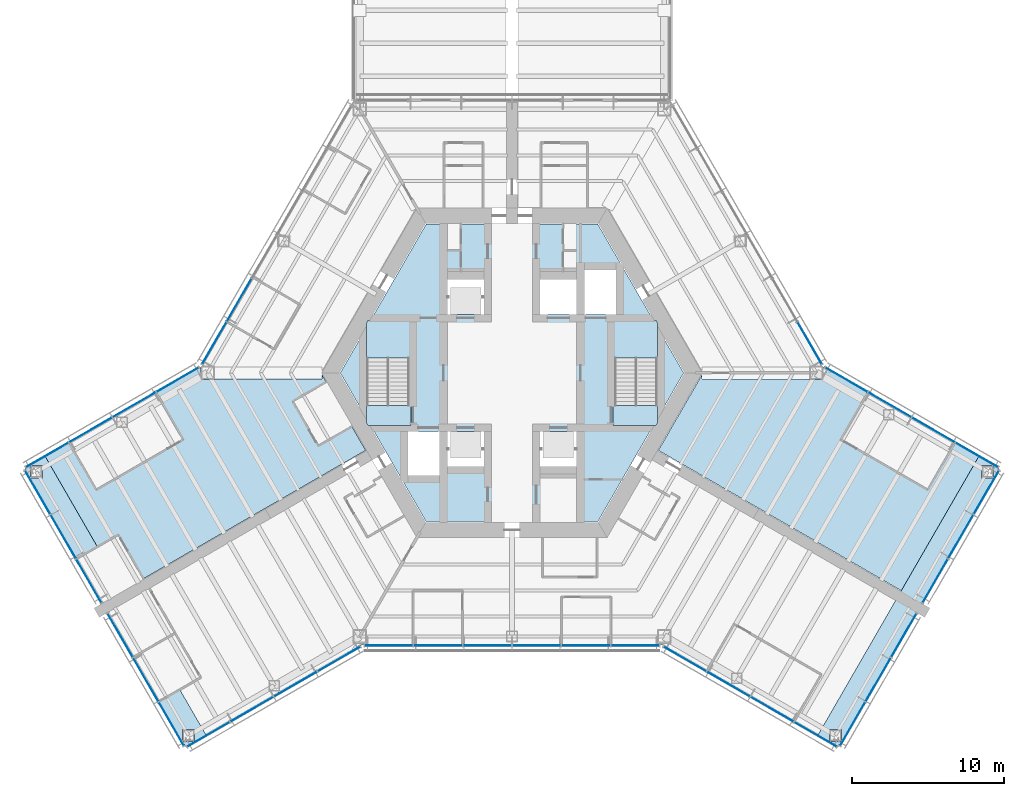
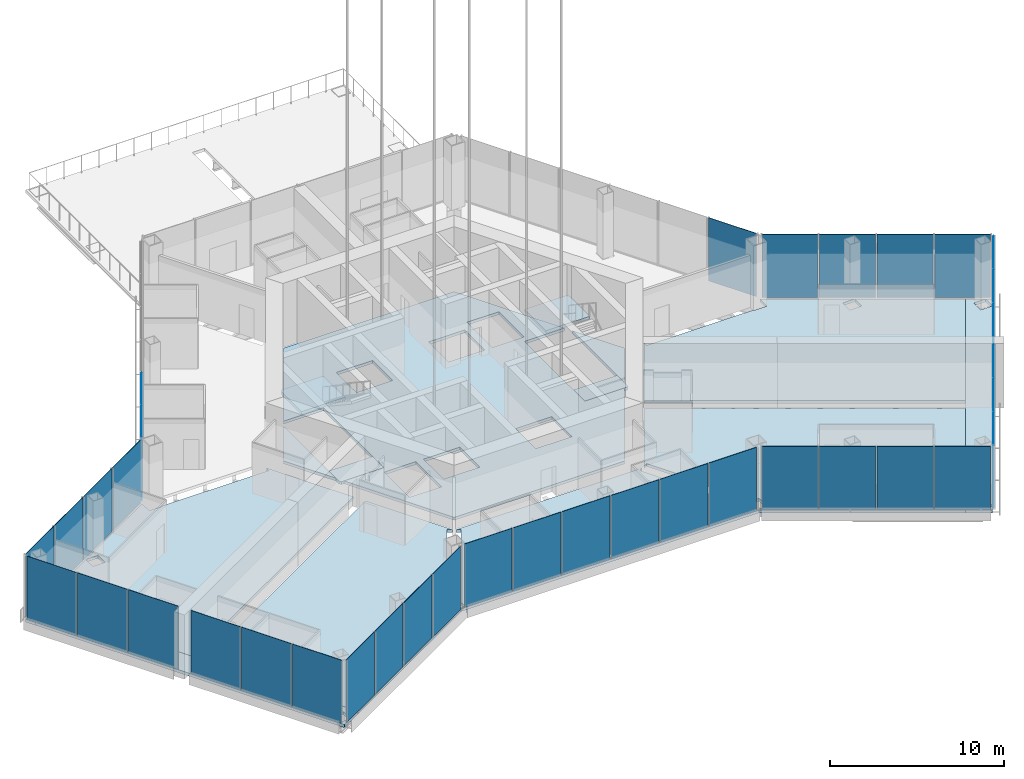
# One storey, part 8 of 18: 37 plates, 12 slabs, 13 elements without a shape of their own.
"""IFC4 building model written with IfcOpenShell, lengths in metres."""

from ifc_helpers import new_model, si_unit, direction, frame, origin, origin_2d, place, context, subcontext, project, spatial, polyline, rectangle, outline, extrude, material, layer, layer_set, type_object, element, aggregate, save


model = new_model("IFC4")

# Units and contexts
model_context = context("Model", 3, precision=1e-05, world=origin(), true_north=direction((0.0, 1.0)))
body_context = subcontext(model_context, "Body", "Model", "MODEL_VIEW")
ifc_project = project(units=[si_unit("LENGTHUNIT", "METRE"), si_unit("AREAUNIT", "SQUARE_METRE"), si_unit("VOLUMEUNIT", "CUBIC_METRE"), si_unit("PLANEANGLEUNIT", "RADIAN"), si_unit("MASSUNIT", "GRAM", prefix="KILO")], contexts=[model_context])

# Site, building, storey
site_placement = place(None, origin())
site = spatial("IfcSite", under=ifc_project, at=site_placement, CompositionType="ELEMENT")
building_placement = place(site_placement, origin())
building = spatial("IfcBuilding", under=site, at=building_placement, Name="Kasaneha Research Tower", CompositionType="ELEMENT")
storey_placement = place(building_placement, frame((0.0, 0.0, 128.60009765625)))
storey = spatial("IfcBuildingStorey", under=building, at=storey_placement, Name="L32", CompositionType="ELEMENT", Elevation=128.60009765625)

# Curtain wall, plates
ifc_material_1 = material(Name="Glass and aluminium", Category="aluminium")
curtain_wall_type = type_object("IfcCurtainWallType", Name="Sky lobby curtain wall", PredefinedType="USERDEFINED", material=ifc_material_1)
curtain_wall_1_placement = place(storey_placement, origin())
curtain_wall_1 = element("IfcCurtainWall", 1, at=curtain_wall_1_placement, inside=storey, type_object=curtain_wall_type, Name="CW-S L32 run 01a", ObjectType="UNITISED CURTAIN WALL", PredefinedType="USERDEFINED")
ifc_material_2 = material(Name="Laminated double glazing", Category="glass")
ifc_layer_1 = layer(ifc_material_2, 0.030029296875)
ifc_layer_set_1 = layer_set([ifc_layer_1], Name="CW-S glazed panel")
plate_type = type_object("IfcPlateType", Name="CW-S glazed panel", PredefinedType="CURTAIN_PANEL", material=ifc_layer_set_1)
plate_1_placement = place(storey_placement, frame((-8.0986328125, -17.92041015625, 0.06982421875), z_axis=(0.0, 0.0, 1.0), x_axis=(1.0, 0.0, 0.0)))
plate_1 = element("IfcPlate", 2, at=plate_1_placement, type_object=plate_type, Name="CW-S panel 1", PredefinedType="CURTAIN_PANEL", context=body_context, shape_type="SweptSolid", body=[
    extrude(rectangle(XDim=3.141357421875, YDim=0.030029296875, at=origin_2d()), origin(), (0.0, 0.0, 1.0), 4.429931640625),
])
plate_2_placement = place(storey_placement, frame((-4.86962890625, -17.92041015625, 0.06982421875), z_axis=(0.0, 0.0, 1.0), x_axis=(1.0, 0.0, 0.0)))
plate_2 = element("IfcPlate", 3, at=plate_2_placement, type_object=plate_type, Name="CW-S panel 2", PredefinedType="CURTAIN_PANEL", context=body_context, shape_type="SweptSolid", body=[
    extrude(rectangle(XDim=3.176513671875, YDim=0.030029296875, at=origin_2d()), origin(), (0.0, 0.0, 1.0), 4.429931640625),
])
plate_3_placement = place(storey_placement, frame((-1.623291015625, -17.92041015625, 0.06982421875), z_axis=(0.0, 0.0, 1.0), x_axis=(1.0, 0.0, 0.0)))
plate_3 = element("IfcPlate", 4, at=plate_3_placement, type_object=plate_type, Name="CW-S panel 3", PredefinedType="CURTAIN_PANEL", context=body_context, shape_type="SweptSolid", body=[
    extrude(rectangle(XDim=3.176513671875, YDim=0.030029296875, at=origin_2d()), origin(), (0.0, 0.0, 1.0), 4.429931640625),
])
plate_4_placement = place(storey_placement, frame((1.623291015625, -17.92041015625, 0.06982421875), z_axis=(0.0, 0.0, 1.0), x_axis=(1.0, 0.0, 0.0)))
plate_4 = element("IfcPlate", 5, at=plate_4_placement, type_object=plate_type, Name="CW-S panel 4", PredefinedType="CURTAIN_PANEL", context=body_context, shape_type="SweptSolid", body=[
    extrude(rectangle(XDim=3.176513671875, YDim=0.030029296875, at=origin_2d()), origin(), (0.0, 0.0, 1.0), 4.429931640625),
])
plate_5_placement = place(storey_placement, frame((4.86962890625, -17.92041015625, 0.06982421875), z_axis=(0.0, 0.0, 1.0), x_axis=(1.0, 0.0, 0.0)))
plate_5 = element("IfcPlate", 6, at=plate_5_placement, type_object=plate_type, Name="CW-S panel 5", PredefinedType="CURTAIN_PANEL", context=body_context, shape_type="SweptSolid", body=[
    extrude(rectangle(XDim=3.176513671875, YDim=0.030029296875, at=origin_2d()), origin(), (0.0, 0.0, 1.0), 4.429931640625),
])
plate_6_placement = place(storey_placement, frame((8.0986328125, -17.92041015625, 0.06982421875), z_axis=(0.0, 0.0, 1.0), x_axis=(1.0, 0.0, 0.0)))
plate_6 = element("IfcPlate", 7, at=plate_6_placement, type_object=plate_type, Name="CW-S panel 6", PredefinedType="CURTAIN_PANEL", context=body_context, shape_type="SweptSolid", body=[
    extrude(rectangle(XDim=3.141357421875, YDim=0.030029296875, at=origin_2d()), origin(), (0.0, 0.0, 1.0), 4.429931640625),
])
aggregate(curtain_wall_1, [plate_1, plate_2, plate_3, plate_4, plate_5, plate_6])

curtain_wall_2_placement = place(storey_placement, origin())
curtain_wall_2 = element("IfcCurtainWall", 8, at=curtain_wall_2_placement, inside=storey, type_object=curtain_wall_type, Name="CW-S L32 run 02a", ObjectType="UNITISED CURTAIN WALL", PredefinedType="USERDEFINED")
plate_7_placement = place(storey_placement, frame((11.374267578125, -18.806640625, 0.06982421875), z_axis=(0.0, 0.0, 1.0), x_axis=(0.866025411464, -0.499999986699, 0.0)))
plate_7 = element("IfcPlate", 9, at=plate_7_placement, type_object=plate_type, Name="CW-S panel 1", PredefinedType="CURTAIN_PANEL", context=body_context, shape_type="SweptSolid", body=[
    extrude(rectangle(XDim=3.204833984375, YDim=0.030029296875, at=origin_2d()), origin(), (0.0, 0.0, 1.0), 4.429931640625),
])
plate_8_placement = place(storey_placement, frame((14.225341796875, -20.452880859375, 0.06982421875), z_axis=(0.0, 0.0, 1.0), x_axis=(0.866025411464, -0.499999986699, 0.0)))
plate_8 = element("IfcPlate", 10, at=plate_8_placement, type_object=plate_type, Name="CW-S panel 2", PredefinedType="CURTAIN_PANEL", context=body_context, shape_type="SweptSolid", body=[
    extrude(rectangle(XDim=3.23974609375, YDim=0.030029296875, at=origin_2d()), origin(), (0.0, 0.0, 1.0), 4.429931640625),
])
plate_9_placement = place(storey_placement, frame((17.091796875, -22.107666015625, 0.06982421875), z_axis=(0.0, 0.0, 1.0), x_axis=(0.866025411464, -0.499999986699, 0.0)))
plate_9 = element("IfcPlate", 11, at=plate_9_placement, type_object=plate_type, Name="CW-S panel 3", PredefinedType="CURTAIN_PANEL", context=body_context, shape_type="SweptSolid", body=[
    extrude(rectangle(XDim=3.23974609375, YDim=0.030029296875, at=origin_2d()), origin(), (0.0, 0.0, 1.0), 4.429931640625),
])
plate_10_placement = place(storey_placement, frame((19.943115234375, -23.75390625, 0.06982421875), z_axis=(0.0, 0.0, 1.0), x_axis=(0.866025411464, -0.499999986699, 0.0)))
plate_10 = element("IfcPlate", 12, at=plate_10_placement, type_object=plate_type, Name="CW-S panel 4", PredefinedType="CURTAIN_PANEL", context=body_context, shape_type="SweptSolid", body=[
    extrude(rectangle(XDim=3.204833984375, YDim=0.030029296875, at=origin_2d()), origin(), (0.0, 0.0, 1.0), 4.429931640625),
])
aggregate(curtain_wall_2, [plate_7, plate_8, plate_9, plate_10])

curtain_wall_3_placement = place(storey_placement, origin())
curtain_wall_3 = element("IfcCurtainWall", 13, at=curtain_wall_3_placement, inside=storey, type_object=curtain_wall_type, Name="CW-S L32 run 03a", ObjectType="UNITISED CURTAIN WALL", PredefinedType="USERDEFINED")
plate_11_placement = place(storey_placement, frame((22.382568359375, -23.0732421875, 0.06982421875), z_axis=(0.0, 0.0, 1.0), x_axis=(0.500000011442, 0.866025397178, 0.0)))
plate_11 = element("IfcPlate", 14, at=plate_11_placement, type_object=plate_type, Name="CW-S panel 1", PredefinedType="CURTAIN_PANEL", context=body_context, shape_type="SweptSolid", body=[
    extrude(rectangle(XDim=3.2783203125, YDim=0.030029296875, at=origin_2d()), origin(), (0.0, 0.0, 1.0), 4.429931640625),
])
plate_12_placement = place(storey_placement, frame((24.0654296875, -20.158447265625, 0.06982421875), z_axis=(0.0, 0.0, 1.0), x_axis=(0.500000011442, 0.866025397178, 0.0)))
plate_12 = element("IfcPlate", 15, at=plate_12_placement, type_object=plate_type, Name="CW-S panel 2", PredefinedType="CURTAIN_PANEL", context=body_context, shape_type="SweptSolid", body=[
    extrude(rectangle(XDim=3.313232421875, YDim=0.030029296875, at=origin_2d()), origin(), (0.0, 0.0, 1.0), 4.429931640625),
])
plate_13_placement = place(storey_placement, frame((25.748291015625, -17.24365234375, 0.06982421875), z_axis=(0.0, 0.0, 1.0), x_axis=(0.500000011442, 0.866025397178, 0.0)))
plate_13 = element("IfcPlate", 16, at=plate_13_placement, type_object=plate_type, Name="CW-S panel 3", PredefinedType="CURTAIN_PANEL", context=body_context, shape_type="SweptSolid", body=[
    extrude(rectangle(XDim=3.2783203125, YDim=0.030029296875, at=origin_2d()), origin(), (0.0, 0.0, 1.0), 4.429931640625),
])
aggregate(curtain_wall_3, [plate_11, plate_12, plate_13])

curtain_wall_4_placement = place(storey_placement, origin())
curtain_wall_4 = element("IfcCurtainWall", 17, at=curtain_wall_4_placement, inside=storey, type_object=curtain_wall_type, Name="CW-S L32 run 04a", ObjectType="UNITISED CURTAIN WALL", PredefinedType="USERDEFINED")
plate_14_placement = place(storey_placement, frame((27.8076171875, -13.677001953125, 0.06982421875), z_axis=(0.0, 0.0, 1.0), x_axis=(0.500000011442, 0.866025397178, 0.0)))
plate_14 = element("IfcPlate", 18, at=plate_14_placement, type_object=plate_type, Name="CW-S panel 1", PredefinedType="CURTAIN_PANEL", context=body_context, shape_type="SweptSolid", body=[
    extrude(rectangle(XDim=3.2783203125, YDim=0.030029296875, at=origin_2d()), origin(), (0.0, 0.0, 1.0), 4.429931640625),
])
plate_15_placement = place(storey_placement, frame((29.490478515625, -10.761962890625, 0.06982421875), z_axis=(0.0, 0.0, 1.0), x_axis=(0.500000011442, 0.866025397178, 0.0)))
plate_15 = element("IfcPlate", 19, at=plate_15_placement, type_object=plate_type, Name="CW-S panel 2", PredefinedType="CURTAIN_PANEL", context=body_context, shape_type="SweptSolid", body=[
    extrude(rectangle(XDim=3.313232421875, YDim=0.030029296875, at=origin_2d()), origin(), (0.0, 0.0, 1.0), 4.429931640625),
])
plate_16_placement = place(storey_placement, frame((31.17333984375, -7.84716796875, 0.06982421875), z_axis=(0.0, 0.0, 1.0), x_axis=(0.500000011442, 0.866025397178, 0.0)))
plate_16 = element("IfcPlate", 20, at=plate_16_placement, type_object=plate_type, Name="CW-S panel 3", PredefinedType="CURTAIN_PANEL", context=body_context, shape_type="SweptSolid", body=[
    extrude(rectangle(XDim=3.2783203125, YDim=0.030029296875, at=origin_2d()), origin(), (0.0, 0.0, 1.0), 4.429931640625),
])
aggregate(curtain_wall_4, [plate_14, plate_15, plate_16])

curtain_wall_5_placement = place(storey_placement, origin())
curtain_wall_5 = element("IfcCurtainWall", 21, at=curtain_wall_5_placement, inside=storey, type_object=curtain_wall_type, Name="CW-S L32 run 05a", ObjectType="UNITISED CURTAIN WALL", PredefinedType="USERDEFINED")
plate_17_placement = place(storey_placement, frame((30.54296875, -5.394287109375, 0.06982421875), z_axis=(0.0, 0.0, 1.0), x_axis=(-0.866025411464, 0.499999986699, 0.0)))
plate_17 = element("IfcPlate", 22, at=plate_17_placement, type_object=plate_type, Name="CW-S panel 1", PredefinedType="CURTAIN_PANEL", context=body_context, shape_type="SweptSolid", body=[
    extrude(rectangle(XDim=3.204833984375, YDim=0.030029296875, at=origin_2d()), origin(), (0.0, 0.0, 1.0), 4.429931640625),
])
plate_18_placement = place(storey_placement, frame((27.69189453125, -3.748046875, 0.06982421875), z_axis=(0.0, 0.0, 1.0), x_axis=(-0.866025411464, 0.499999986699, 0.0)))
plate_18 = element("IfcPlate", 23, at=plate_18_placement, type_object=plate_type, Name="CW-S panel 2", PredefinedType="CURTAIN_PANEL", context=body_context, shape_type="SweptSolid", body=[
    extrude(rectangle(XDim=3.23974609375, YDim=0.030029296875, at=origin_2d()), origin(), (0.0, 0.0, 1.0), 4.429931640625),
])
plate_19_placement = place(storey_placement, frame((24.825439453125, -2.093017578125, 0.06982421875), z_axis=(0.0, 0.0, 1.0), x_axis=(-0.866025411464, 0.499999986699, 0.0)))
plate_19 = element("IfcPlate", 24, at=plate_19_placement, type_object=plate_type, Name="CW-S panel 3", PredefinedType="CURTAIN_PANEL", context=body_context, shape_type="SweptSolid", body=[
    extrude(rectangle(XDim=3.23974609375, YDim=0.030029296875, at=origin_2d()), origin(), (0.0, 0.0, 1.0), 4.429931640625),
])
plate_20_placement = place(storey_placement, frame((21.97412109375, -0.447021484375, 0.06982421875), z_axis=(0.0, 0.0, 1.0), x_axis=(-0.866025411464, 0.499999986699, 0.0)))
plate_20 = element("IfcPlate", 25, at=plate_20_placement, type_object=plate_type, Name="CW-S panel 4", PredefinedType="CURTAIN_PANEL", context=body_context, shape_type="SweptSolid", body=[
    extrude(rectangle(XDim=3.204833984375, YDim=0.030029296875, at=origin_2d()), origin(), (0.0, 0.0, 1.0), 4.429931640625),
])
aggregate(curtain_wall_5, [plate_17, plate_18, plate_19, plate_20])

# Curtain wall, plate
curtain_wall_6_placement = place(storey_placement, origin())
curtain_wall_6 = element("IfcCurtainWall", 26, at=curtain_wall_6_placement, inside=storey, type_object=curtain_wall_type, Name="CW-S L32 run 06a", ObjectType="UNITISED CURTAIN WALL", PredefinedType="USERDEFINED")
plate_21_placement = place(storey_placement, frame((19.56103515625, 1.96044921875, 0.06982421875), z_axis=(0.0, 0.0, 1.0), x_axis=(-0.499999979232, 0.866025415775, 0.0)))
plate_21 = element("IfcPlate", 27, at=plate_21_placement, type_object=plate_type, Name="CW-S panel 1", PredefinedType="CURTAIN_PANEL", context=body_context, shape_type="SweptSolid", body=[
    extrude(rectangle(XDim=3.173095703125, YDim=0.030029296875, at=origin_2d()), origin(), (0.0, 0.0, 1.0), 4.429931640625),
])
aggregate(curtain_wall_6, [plate_21])

# Curtain wall, plates
curtain_wall_7_placement = place(storey_placement, origin())
curtain_wall_7 = element("IfcCurtainWall", 28, at=curtain_wall_7_placement, inside=storey, type_object=curtain_wall_type, Name="CW-S L32 run 08a", ObjectType="UNITISED CURTAIN WALL", PredefinedType="USERDEFINED")
plate_22_placement = place(storey_placement, frame((-17.9306640625, 4.7841796875, 0.06982421875), z_axis=(0.0, 0.0, 1.0), x_axis=(-0.499999979232, -0.866025415775, 0.0)))
plate_22 = element("IfcPlate", 29, at=plate_22_placement, type_object=plate_type, Name="CW-S panel 5", PredefinedType="CURTAIN_PANEL", context=body_context, shape_type="SweptSolid", body=[
    extrude(rectangle(XDim=3.2080078125, YDim=0.030029296875, at=origin_2d()), origin(), (0.0, 0.0, 1.0), 4.429931640625),
])
plate_23_placement = place(storey_placement, frame((-19.56103515625, 1.96044921875, 0.06982421875), z_axis=(0.0, 0.0, 1.0), x_axis=(-0.499999979232, -0.866025415775, 0.0)))
plate_23 = element("IfcPlate", 30, at=plate_23_placement, type_object=plate_type, Name="CW-S panel 6", PredefinedType="CURTAIN_PANEL", context=body_context, shape_type="SweptSolid", body=[
    extrude(rectangle(XDim=3.173095703125, YDim=0.030029296875, at=origin_2d()), origin(), (0.0, 0.0, 1.0), 4.429931640625),
])
aggregate(curtain_wall_7, [plate_22, plate_23])

curtain_wall_8_placement = place(storey_placement, origin())
curtain_wall_8 = element("IfcCurtainWall", 31, at=curtain_wall_8_placement, inside=storey, type_object=curtain_wall_type, Name="CW-S L32 run 09a", ObjectType="UNITISED CURTAIN WALL", PredefinedType="USERDEFINED")
plate_24_placement = place(storey_placement, frame((-21.97412109375, -0.447021484375, 0.06982421875), z_axis=(0.0, 0.0, 1.0), x_axis=(-0.866025411464, -0.499999986699, 0.0)))
plate_24 = element("IfcPlate", 32, at=plate_24_placement, type_object=plate_type, Name="CW-S panel 1", PredefinedType="CURTAIN_PANEL", context=body_context, shape_type="SweptSolid", body=[
    extrude(rectangle(XDim=3.204833984375, YDim=0.030029296875, at=origin_2d()), origin(), (0.0, 0.0, 1.0), 4.429931640625),
])
plate_25_placement = place(storey_placement, frame((-24.825439453125, -2.093017578125, 0.06982421875), z_axis=(0.0, 0.0, 1.0), x_axis=(-0.866025411464, -0.499999986699, 0.0)))
plate_25 = element("IfcPlate", 33, at=plate_25_placement, type_object=plate_type, Name="CW-S panel 2", PredefinedType="CURTAIN_PANEL", context=body_context, shape_type="SweptSolid", body=[
    extrude(rectangle(XDim=3.23974609375, YDim=0.030029296875, at=origin_2d()), origin(), (0.0, 0.0, 1.0), 4.429931640625),
])
plate_26_placement = place(storey_placement, frame((-27.69189453125, -3.748046875, 0.06982421875), z_axis=(0.0, 0.0, 1.0), x_axis=(-0.866025411464, -0.499999986699, 0.0)))
plate_26 = element("IfcPlate", 34, at=plate_26_placement, type_object=plate_type, Name="CW-S panel 3", PredefinedType="CURTAIN_PANEL", context=body_context, shape_type="SweptSolid", body=[
    extrude(rectangle(XDim=3.23974609375, YDim=0.030029296875, at=origin_2d()), origin(), (0.0, 0.0, 1.0), 4.429931640625),
])
plate_27_placement = place(storey_placement, frame((-30.54296875, -5.394287109375, 0.06982421875), z_axis=(0.0, 0.0, 1.0), x_axis=(-0.866025411464, -0.499999986699, 0.0)))
plate_27 = element("IfcPlate", 35, at=plate_27_placement, type_object=plate_type, Name="CW-S panel 4", PredefinedType="CURTAIN_PANEL", context=body_context, shape_type="SweptSolid", body=[
    extrude(rectangle(XDim=3.204833984375, YDim=0.030029296875, at=origin_2d()), origin(), (0.0, 0.0, 1.0), 4.429931640625),
])
aggregate(curtain_wall_8, [plate_24, plate_25, plate_26, plate_27])

curtain_wall_9_placement = place(storey_placement, origin())
curtain_wall_9 = element("IfcCurtainWall", 36, at=curtain_wall_9_placement, inside=storey, type_object=curtain_wall_type, Name="CW-S L32 run 10a", ObjectType="UNITISED CURTAIN WALL", PredefinedType="USERDEFINED")
plate_28_placement = place(storey_placement, frame((-31.17333984375, -7.84716796875, 0.06982421875), z_axis=(0.0, 0.0, 1.0), x_axis=(0.500000011442, -0.866025397178, 0.0)))
plate_28 = element("IfcPlate", 37, at=plate_28_placement, type_object=plate_type, Name="CW-S panel 1", PredefinedType="CURTAIN_PANEL", context=body_context, shape_type="SweptSolid", body=[
    extrude(rectangle(XDim=3.2783203125, YDim=0.030029296875, at=origin_2d()), origin(), (0.0, 0.0, 1.0), 4.429931640625),
])
plate_29_placement = place(storey_placement, frame((-29.490478515625, -10.761962890625, 0.06982421875), z_axis=(0.0, 0.0, 1.0), x_axis=(0.500000011442, -0.866025397178, 0.0)))
plate_29 = element("IfcPlate", 38, at=plate_29_placement, type_object=plate_type, Name="CW-S panel 2", PredefinedType="CURTAIN_PANEL", context=body_context, shape_type="SweptSolid", body=[
    extrude(rectangle(XDim=3.313232421875, YDim=0.030029296875, at=origin_2d()), origin(), (0.0, 0.0, 1.0), 4.429931640625),
])
plate_30_placement = place(storey_placement, frame((-27.8076171875, -13.677001953125, 0.06982421875), z_axis=(0.0, 0.0, 1.0), x_axis=(0.500000011442, -0.866025397178, 0.0)))
plate_30 = element("IfcPlate", 39, at=plate_30_placement, type_object=plate_type, Name="CW-S panel 3", PredefinedType="CURTAIN_PANEL", context=body_context, shape_type="SweptSolid", body=[
    extrude(rectangle(XDim=3.2783203125, YDim=0.030029296875, at=origin_2d()), origin(), (0.0, 0.0, 1.0), 4.429931640625),
])
aggregate(curtain_wall_9, [plate_28, plate_29, plate_30])

curtain_wall_10_placement = place(storey_placement, origin())
curtain_wall_10 = element("IfcCurtainWall", 40, at=curtain_wall_10_placement, inside=storey, type_object=curtain_wall_type, Name="CW-S L32 run 11a", ObjectType="UNITISED CURTAIN WALL", PredefinedType="USERDEFINED")
plate_31_placement = place(storey_placement, frame((-25.748291015625, -17.24365234375, 0.06982421875), z_axis=(0.0, 0.0, 1.0), x_axis=(0.500000011442, -0.866025397178, 0.0)))
plate_31 = element("IfcPlate", 41, at=plate_31_placement, type_object=plate_type, Name="CW-S panel 1", PredefinedType="CURTAIN_PANEL", context=body_context, shape_type="SweptSolid", body=[
    extrude(rectangle(XDim=3.2783203125, YDim=0.030029296875, at=origin_2d()), origin(), (0.0, 0.0, 1.0), 4.429931640625),
])
plate_32_placement = place(storey_placement, frame((-24.0654296875, -20.158447265625, 0.06982421875), z_axis=(0.0, 0.0, 1.0), x_axis=(0.500000011442, -0.866025397178, 0.0)))
plate_32 = element("IfcPlate", 42, at=plate_32_placement, type_object=plate_type, Name="CW-S panel 2", PredefinedType="CURTAIN_PANEL", context=body_context, shape_type="SweptSolid", body=[
    extrude(rectangle(XDim=3.313232421875, YDim=0.030029296875, at=origin_2d()), origin(), (0.0, 0.0, 1.0), 4.429931640625),
])
plate_33_placement = place(storey_placement, frame((-22.382568359375, -23.0732421875, 0.06982421875), z_axis=(0.0, 0.0, 1.0), x_axis=(0.500000011442, -0.866025397178, 0.0)))
plate_33 = element("IfcPlate", 43, at=plate_33_placement, type_object=plate_type, Name="CW-S panel 3", PredefinedType="CURTAIN_PANEL", context=body_context, shape_type="SweptSolid", body=[
    extrude(rectangle(XDim=3.2783203125, YDim=0.030029296875, at=origin_2d()), origin(), (0.0, 0.0, 1.0), 4.429931640625),
])
aggregate(curtain_wall_10, [plate_31, plate_32, plate_33])

curtain_wall_11_placement = place(storey_placement, origin())
curtain_wall_11 = element("IfcCurtainWall", 44, at=curtain_wall_11_placement, inside=storey, type_object=curtain_wall_type, Name="CW-S L32 run 12a", ObjectType="UNITISED CURTAIN WALL", PredefinedType="USERDEFINED")
plate_34_placement = place(storey_placement, frame((-19.943115234375, -23.75390625, 0.06982421875), z_axis=(0.0, 0.0, 1.0), x_axis=(0.866025411464, 0.499999986699, 0.0)))
plate_34 = element("IfcPlate", 45, at=plate_34_placement, type_object=plate_type, Name="CW-S panel 1", PredefinedType="CURTAIN_PANEL", context=body_context, shape_type="SweptSolid", body=[
    extrude(rectangle(XDim=3.204833984375, YDim=0.030029296875, at=origin_2d()), origin(), (0.0, 0.0, 1.0), 4.429931640625),
])
plate_35_placement = place(storey_placement, frame((-17.091796875, -22.107666015625, 0.06982421875), z_axis=(0.0, 0.0, 1.0), x_axis=(0.866025411464, 0.499999986699, 0.0)))
plate_35 = element("IfcPlate", 46, at=plate_35_placement, type_object=plate_type, Name="CW-S panel 2", PredefinedType="CURTAIN_PANEL", context=body_context, shape_type="SweptSolid", body=[
    extrude(rectangle(XDim=3.23974609375, YDim=0.030029296875, at=origin_2d()), origin(), (0.0, 0.0, 1.0), 4.429931640625),
])
plate_36_placement = place(storey_placement, frame((-14.225341796875, -20.452880859375, 0.06982421875), z_axis=(0.0, 0.0, 1.0), x_axis=(0.866025411464, 0.499999986699, 0.0)))
plate_36 = element("IfcPlate", 47, at=plate_36_placement, type_object=plate_type, Name="CW-S panel 3", PredefinedType="CURTAIN_PANEL", context=body_context, shape_type="SweptSolid", body=[
    extrude(rectangle(XDim=3.23974609375, YDim=0.030029296875, at=origin_2d()), origin(), (0.0, 0.0, 1.0), 4.429931640625),
])
plate_37_placement = place(storey_placement, frame((-11.374267578125, -18.806640625, 0.06982421875), z_axis=(0.0, 0.0, 1.0), x_axis=(0.866025411464, 0.499999986699, 0.0)))
plate_37 = element("IfcPlate", 48, at=plate_37_placement, type_object=plate_type, Name="CW-S panel 4", PredefinedType="CURTAIN_PANEL", context=body_context, shape_type="SweptSolid", body=[
    extrude(rectangle(XDim=3.204833984375, YDim=0.030029296875, at=origin_2d()), origin(), (0.0, 0.0, 1.0), 4.429931640625),
])
aggregate(curtain_wall_11, [plate_34, plate_35, plate_36, plate_37])

# Slabs
ifc_material_3 = material(Name="Concrete Fc24", Category="concrete")
ifc_layer_2 = layer(ifc_material_3, 0.199951171875)
ifc_layer_set_2 = layer_set([ifc_layer_2], Name="Core floor slab 200")
slab_type_1 = type_object("IfcSlabType", Name="Core floor slab 200", PredefinedType="FLOOR", material=ifc_layer_set_2)
slab_1_placement = place(storey_placement, frame((0.0, 0.0, -0.2001953125)))
element("IfcSlab", 49, at=slab_1_placement, inside=storey, type_object=slab_type_1, Name="Core slab L32", PredefinedType="FLOOR", context=body_context, shape_type="SweptSolid", body=[
    extrude(outline(polyline([(-11.287109375, 0.0), (-9.550048828125, 3.0087890625), (-9.550048828125, -3.0087890625), (-11.287109375, 0.0)])), origin(), (0.0, 0.0, 1.0), 0.2001953125),
])
slab_2_placement = place(storey_placement, frame((0.0, 0.0, -0.2001953125)))
element("IfcSlab", 50, at=slab_2_placement, inside=storey, type_object=slab_type_1, Name="Core slab L32", PredefinedType="FLOOR", context=body_context, shape_type="SweptSolid", body=[
    extrude(outline(polyline([(-5.6435546875, 9.77490234375), (5.6435546875, 9.77490234375), (9.29541015625, 3.449951171875), (6.64990234375, 3.449951171875), (6.64990234375, -3.449951171875), (9.29541015625, -3.449951171875), (5.6435546875, -9.77490234375), (-5.6435546875, -9.77490234375), (-9.29541015625, -3.449951171875), (-6.64990234375, -3.449951171875), (-6.64990234375, 3.449951171875), (-9.29541015625, 3.449951171875), (-5.6435546875, 9.77490234375)]), holes=[polyline([(-6.85009765625, -3.85009765625), (-6.85009765625, -6.75), (-4.75, -6.75), (-4.75, -3.85009765625), (-6.85009765625, -3.85009765625)]), polyline([(-4.25, -3.85009765625), (-4.25, -6.14990234375), (-1.85009765625, -6.14990234375), (-1.85009765625, -3.85009765625), (-4.25, -3.85009765625)]), polyline([(1.85009765625, -3.85009765625), (1.85009765625, -6.14990234375), (4.25, -6.14990234375), (4.25, -3.85009765625), (1.85009765625, -3.85009765625)]), polyline([(-4.25, 6.14990234375), (-4.25, 3.85009765625), (-1.85009765625, 3.85009765625), (-1.85009765625, 6.14990234375), (-4.25, 6.14990234375)]), polyline([(4.25, 6.14990234375), (1.85009765625, 6.14990234375), (1.85009765625, 3.85009765625), (4.25, 3.85009765625), (4.25, 6.14990234375)]), polyline([(6.85009765625, 6.75), (4.75, 6.75), (4.75, 3.85009765625), (6.85009765625, 3.85009765625), (6.85009765625, 6.75)])]), origin(), (0.0, 0.0, 1.0), 0.2001953125),
])
slab_3_placement = place(storey_placement, frame((0.0, 0.0, -0.2001953125)))
element("IfcSlab", 51, at=slab_3_placement, inside=storey, type_object=slab_type_1, Name="Core slab L32", PredefinedType="FLOOR", context=body_context, shape_type="SweptSolid", body=[
    extrude(outline(polyline([(11.287109375, 0.0), (9.550048828125, -3.0087890625), (9.550048828125, 3.0087890625), (11.287109375, 0.0)])), origin(), (0.0, 0.0, 1.0), 0.2001953125),
])
ifc_material_4 = material(Name="Concrete Fc24", Category="concrete")
ifc_layer_3 = layer(ifc_material_4, 0.199951171875)
ifc_layer_set_3 = layer_set([ifc_layer_3], Name="Floor slab 200")
slab_type_2 = type_object("IfcSlabType", Name="Floor slab 200", PredefinedType="FLOOR", material=ifc_layer_set_3)
slab_4_placement = place(storey_placement, frame((0.0, 0.0, -0.2001953125)))
element("IfcSlab", 52, at=slab_4_placement, inside=storey, type_object=slab_type_2, Name="Floor slab L32 1", PredefinedType="FLOOR", context=body_context, shape_type="SweptSolid", body=[
    extrude(outline(polyline([(-25.1923828125, -15.006591796875), (-25.18359375, -15.001708984375), (-20.108642578125, -23.791748046875), (-21.459716796875, -24.57177734375), (-21.65576171875, -24.232177734375), (-21.644287109375, -24.220703125), (-20.858154296875, -24.220703125), (-20.858154296875, -23.42041015625), (-21.658447265625, -23.42041015625), (-21.658447265625, -24.20654296875), (-21.666015625, -24.214111328125), (-31.65576171875, -6.91162109375), (-31.644287109375, -6.900146484375), (-30.858154296875, -6.900146484375), (-30.858154296875, -6.099853515625), (-31.658447265625, -6.099853515625), (-31.658447265625, -6.885986328125), (-31.666015625, -6.8935546875), (-32.009521484375, -6.298583984375), (-30.65869140625, -5.518798828125), (-25.583740234375, -14.308837890625), (-25.59228515625, -14.313720703125), (-25.1923828125, -15.006591796875)])), origin(), (0.0, 0.0, 1.0), 0.2001953125),
])
slab_5_placement = place(storey_placement, frame((0.0, 0.0, -0.2001953125)))
element("IfcSlab", 53, at=slab_5_placement, inside=storey, type_object=slab_type_2, Name="Floor slab L32 2", PredefinedType="FLOOR", context=body_context, shape_type="SweptSolid", body=[
    extrude(outline(polyline([(-25.22900390625, -3.650146484375), (-25.22900390625, -2.849853515625), (-26.01513671875, -2.849853515625), (-26.02294921875, -2.84228515625), (-20.449951171875, 0.375244140625), (-20.449951171875, -0.449951171875), (-19.550048828125, -0.449951171875), (-19.550048828125, -0.39990234375), (-12.49951171875, -0.39990234375), (-12.49951171875, -0.10009765625), (-9.617919921875, -5.091064453125), (-25.583740234375, -14.308837890625), (-30.65869140625, -5.518798828125), (-26.040771484375, -2.8525390625), (-26.029296875, -2.864013671875), (-26.029296875, -3.650146484375), (-25.22900390625, -3.650146484375)])), origin(), (0.0, 0.0, 1.0), 0.2001953125),
])
slab_6_placement = place(storey_placement, frame((0.0, 0.0, -0.2001953125)))
element("IfcSlab", 54, at=slab_6_placement, inside=storey, type_object=slab_type_2, Name="Floor slab L32 5", PredefinedType="FLOOR", context=body_context, shape_type="SweptSolid", body=[
    extrude(outline(polyline([(-6.33642578125, -10.77490234375), (-6.59619140625, -10.625), (-10.2021484375, -16.87060546875), (-10.449951171875, -16.87060546875), (-10.449951171875, -17.7705078125), (-9.550048828125, -17.7705078125), (-9.550048828125, -17.341064453125), (-5.9033203125, -11.02490234375), (-6.163330078125, -10.875), (6.163330078125, -10.875), (5.9033203125, -11.02490234375), (9.550048828125, -17.341064453125), (9.550048828125, -17.7705078125), (10.449951171875, -17.7705078125), (10.449951171875, -16.87060546875), (10.2021484375, -16.87060546875), (6.59619140625, -10.625), (6.33642578125, -10.77490234375), (9.218017578125, -5.783935546875), (25.18359375, -15.001708984375), (20.108642578125, -23.791748046875), (14.369384765625, -20.478271484375), (14.377197265625, -20.470703125), (15.163330078125, -20.470703125), (15.163330078125, -19.67041015625), (14.363037109375, -19.67041015625), (14.363037109375, -20.45654296875), (14.3515625, -20.468017578125), (9.8525390625, -17.87060546875), (-9.8525390625, -17.87060546875), (-15.217529296875, -20.968017578125), (-15.22900390625, -20.95654296875), (-15.22900390625, -20.17041015625), (-16.029296875, -20.17041015625), (-16.029296875, -20.970703125), (-15.2431640625, -20.970703125), (-15.235595703125, -20.978271484375), (-20.108642578125, -23.791748046875), (-25.18359375, -15.001708984375), (-9.218017578125, -5.783935546875), (-6.33642578125, -10.77490234375)]), holes=[polyline([(0.39990234375, -17.720458984375), (0.39990234375, -16.92041015625), (-0.39990234375, -16.92041015625), (-0.39990234375, -17.720458984375), (0.39990234375, -17.720458984375)])]), origin(), (0.0, 0.0, 1.0), 0.2001953125),
])
slab_7_placement = place(storey_placement, frame((0.0, 0.0, -0.2001953125)))
element("IfcSlab", 55, at=slab_7_placement, inside=storey, type_object=slab_type_2, Name="Floor slab L32 8", PredefinedType="FLOOR", context=body_context, shape_type="SweptSolid", body=[
    extrude(outline(polyline([(9.617919921875, -5.091064453125), (12.49951171875, -0.10009765625), (12.49951171875, -0.39990234375), (19.550048828125, -0.39990234375), (19.550048828125, -0.449951171875), (20.449951171875, -0.449951171875), (20.449951171875, 0.375244140625), (25.15673828125, -2.34228515625), (25.149169921875, -2.349853515625), (24.363037109375, -2.349853515625), (24.363037109375, -3.150146484375), (25.163330078125, -3.150146484375), (25.163330078125, -2.364013671875), (25.1748046875, -2.3525390625), (30.65869140625, -5.518798828125), (25.583740234375, -14.308837890625), (9.617919921875, -5.091064453125)])), origin(), (0.0, 0.0, 1.0), 0.2001953125),
])
slab_8_placement = place(storey_placement, frame((0.0, 0.0, -0.2001953125)))
element("IfcSlab", 56, at=slab_8_placement, inside=storey, type_object=slab_type_2, Name="Floor slab L32 9", PredefinedType="FLOOR", context=body_context, shape_type="SweptSolid", body=[
    extrude(outline(polyline([(25.1923828125, -15.006591796875), (25.59228515625, -14.313720703125), (25.583740234375, -14.308837890625), (30.65869140625, -5.518798828125), (32.009521484375, -6.298583984375), (31.666015625, -6.8935546875), (31.658447265625, -6.885986328125), (31.658447265625, -6.099853515625), (30.858154296875, -6.099853515625), (30.858154296875, -6.900146484375), (31.644287109375, -6.900146484375), (31.65576171875, -6.91162109375), (21.666015625, -24.214111328125), (21.658447265625, -24.20654296875), (21.658447265625, -23.42041015625), (20.858154296875, -23.42041015625), (20.858154296875, -24.220703125), (21.644287109375, -24.220703125), (21.65576171875, -24.232177734375), (21.459716796875, -24.57177734375), (20.108642578125, -23.791748046875), (25.18359375, -15.001708984375), (25.1923828125, -15.006591796875)])), origin(), (0.0, 0.0, 1.0), 0.2001953125),
])

# Stair, slabs
ifc_material_5 = material(Name="Concrete Fc24", Category="concrete")
stair_type = type_object("IfcStairType", Name="Half-turn stair 26 risers", PredefinedType="HALF_TURN_STAIR", material=ifc_material_5)
stair_1_placement = place(storey_placement, origin())
stair_1 = element("IfcStair", 57, at=stair_1_placement, inside=storey, type_object=stair_type, Name="Stair 1 L32", PredefinedType="HALF_TURN_STAIR")
ifc_material_6 = material(Name="Concrete Fc24", Category="concrete")
ifc_layer_4 = layer(ifc_material_6, 0.199951171875)
ifc_layer_set_4 = layer_set([ifc_layer_4], Name="Stair 1 landing 200")
slab_type_3 = type_object("IfcSlabType", Name="Stair 1 landing 200", PredefinedType="LANDING", material=ifc_layer_set_4)
slab_9_placement = place(storey_placement, frame((0.0, 0.0, -0.2001953125)))
slab_9 = element("IfcSlab", 58, at=slab_9_placement, type_object=slab_type_3, Name="ST1-26R landing 1", PredefinedType="LANDING", context=body_context, shape_type="SweptSolid", body=[
    extrude(outline(polyline([(9.468505859375, -3.449951171875), (6.64990234375, -3.449951171875), (6.64990234375, -2.14990234375), (9.550048828125, -2.14990234375), (9.550048828125, -3.308837890625), (9.468505859375, -3.449951171875)])), origin(), (0.0, 0.0, 1.0), 0.2001953125),
])
slab_10_placement = place(storey_placement, frame((0.0, 0.0, 2.0498046875)))
slab_10 = element("IfcSlab", 59, at=slab_10_placement, type_object=slab_type_3, Name="ST1-26R landing 2", PredefinedType="LANDING", context=body_context, shape_type="SweptSolid", body=[
    extrude(outline(polyline([(6.64990234375, 3.449951171875), (9.468505859375, 3.449951171875), (9.550048828125, 3.308837890625), (9.550048828125, 0.969970703125), (6.64990234375, 0.969970703125), (6.64990234375, 3.449951171875)])), origin(), (0.0, 0.0, 1.0), 0.2001953125),
])
aggregate(stair_1, [slab_9, slab_10])

stair_2_placement = place(storey_placement, origin())
stair_2 = element("IfcStair", 60, at=stair_2_placement, inside=storey, type_object=stair_type, Name="Stair 2 L32", PredefinedType="HALF_TURN_STAIR")
ifc_material_7 = material(Name="Concrete Fc24", Category="concrete")
ifc_layer_5 = layer(ifc_material_7, 0.199951171875)
ifc_layer_set_5 = layer_set([ifc_layer_5], Name="Stair 2 landing 200")
slab_type_4 = type_object("IfcSlabType", Name="Stair 2 landing 200", PredefinedType="LANDING", material=ifc_layer_set_5)
slab_11_placement = place(storey_placement, frame((0.0, 0.0, -0.2001953125)))
slab_11 = element("IfcSlab", 61, at=slab_11_placement, type_object=slab_type_4, Name="ST2-26R landing 1", PredefinedType="LANDING", context=body_context, shape_type="SweptSolid", body=[
    extrude(outline(polyline([(-6.64990234375, -3.449951171875), (-9.468505859375, -3.449951171875), (-9.550048828125, -3.308837890625), (-9.550048828125, -2.14990234375), (-6.64990234375, -2.14990234375), (-6.64990234375, -3.449951171875)])), origin(), (0.0, 0.0, 1.0), 0.2001953125),
])
slab_12_placement = place(storey_placement, frame((0.0, 0.0, 2.0498046875)))
slab_12 = element("IfcSlab", 62, at=slab_12_placement, type_object=slab_type_4, Name="ST2-26R landing 2", PredefinedType="LANDING", context=body_context, shape_type="SweptSolid", body=[
    extrude(outline(polyline([(-6.64990234375, 0.969970703125), (-9.550048828125, 0.969970703125), (-9.550048828125, 3.308837890625), (-9.468505859375, 3.449951171875), (-6.64990234375, 3.449951171875), (-6.64990234375, 0.969970703125)])), origin(), (0.0, 0.0, 1.0), 0.2001953125),
])
aggregate(stair_2, [slab_11, slab_12])

save(model, "model.ifc")
